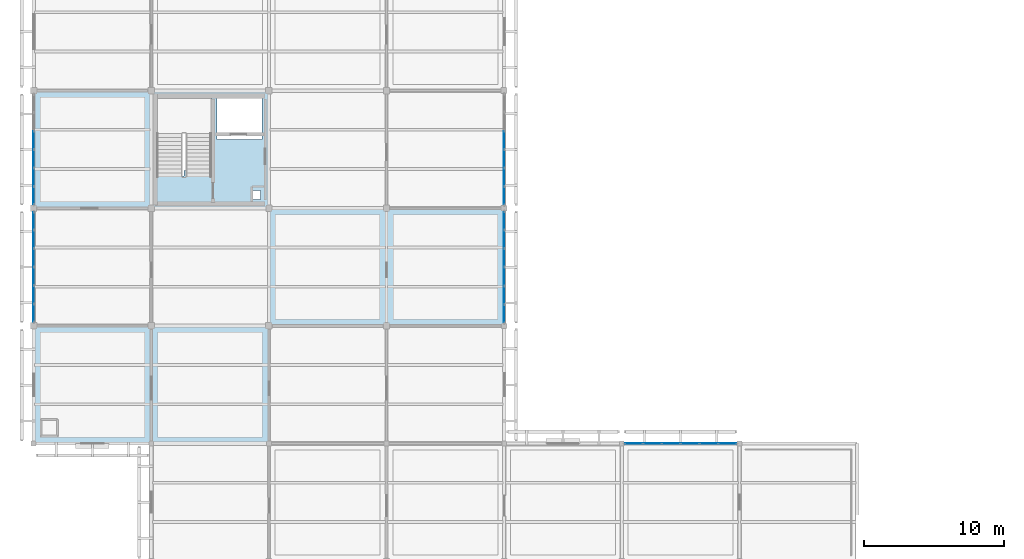
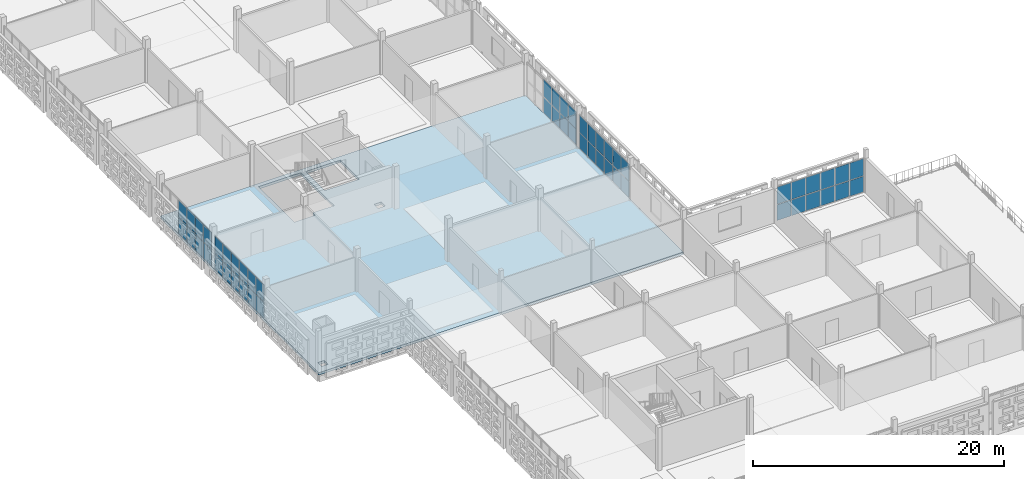
# One storey, part 71 of 140: 52 plates, 1 slab, 5 elements without a shape of their own.
"""IFC4 building model written with IfcOpenShell, lengths in metres."""

from ifc_helpers import new_model, si_unit, direction, frame, origin, origin_2d, place, context, subcontext, project, spatial, polyline, rectangle, outline, extrude, material, layer, layer_set, type_object, element, aggregate, save


model = new_model("IFC4")

# Units and contexts
model_context = context("Model", 3, precision=1e-05, world=origin(), true_north=direction((0.0, 1.0)))
body_context = subcontext(model_context, "Body", "Model", "MODEL_VIEW")
ifc_project = project(units=[si_unit("LENGTHUNIT", "METRE"), si_unit("AREAUNIT", "SQUARE_METRE"), si_unit("VOLUMEUNIT", "CUBIC_METRE"), si_unit("PLANEANGLEUNIT", "RADIAN"), si_unit("MASSUNIT", "GRAM", prefix="KILO")], contexts=[model_context])

# Site, building, storey
site_placement = place(None, origin())
site = spatial("IfcSite", under=ifc_project, at=site_placement, CompositionType="ELEMENT")
building_placement = place(site_placement, origin())
building = spatial("IfcBuilding", under=site, at=building_placement, Name="Varnapada Polytechnic", CompositionType="ELEMENT")
storey_placement = place(building_placement, frame((0.0, 0.0, 13.800048828125)))
storey = spatial("IfcBuildingStorey", under=building, at=storey_placement, Name="L03", CompositionType="ELEMENT", Elevation=13.800048828125)

# Curtain wall, plates
ifc_material_1 = material(Name="Double low-E laminated glass", Category="glass")
ifc_layer_1 = layer(ifc_material_1, 0.159912109375)
ifc_layer_set_1 = layer_set([ifc_layer_1], Name="Double low-E laminated glass")
curtain_wall_type_1 = type_object("IfcCurtainWallType", Name="Curtain Wall CW-01", PredefinedType="NOTDEFINED", material=ifc_layer_set_1)
curtain_wall_1_placement = place(storey_placement, origin())
curtain_wall_1 = element("IfcCurtainWall", 1, at=curtain_wall_1_placement, inside=storey, type_object=curtain_wall_type_1, Name="L03 unitised curtain wall CW-01 (224)", PredefinedType="NOTDEFINED")
ifc_layer_2 = layer(ifc_material_1, 0.028076171875)
ifc_layer_set_2 = layer_set([ifc_layer_2], Name="Double low-E laminated glass")
plate_type_1 = type_object("IfcPlateType", Name="Curtain Panel PNL-01", PredefinedType="CURTAIN_PANEL", material=ifc_layer_set_2)
plate_1_placement = place(storey_placement, frame((42.856689453125, 42.0, 0.06005859375), z_axis=(0.0, 0.0, 1.0), x_axis=(1.0, 0.0, 0.0)))
plate_1 = element("IfcPlate", 2, at=plate_1_placement, type_object=plate_type_1, Name="CW-01 panel 1.1", PredefinedType="CURTAIN_PANEL", context=body_context, shape_type="SweptSolid", body=[
    extrude(rectangle(XDim=1.25341796875, YDim=0.028076171875, at=origin_2d()), origin(), (0.0, 0.0, 1.0), 1.522705078125),
])
plate_2_placement = place(storey_placement, frame((42.856689453125, 42.0, 1.642822265625), z_axis=(0.0, 0.0, 1.0), x_axis=(1.0, 0.0, 0.0)))
plate_2 = element("IfcPlate", 3, at=plate_2_placement, type_object=plate_type_1, Name="CW-01 panel 1.2", PredefinedType="CURTAIN_PANEL", context=body_context, shape_type="SweptSolid", body=[
    extrude(rectangle(XDim=1.25341796875, YDim=0.028076171875, at=origin_2d()), origin(), (0.0, 0.0, 1.0), 1.6572265625),
])
plate_3_placement = place(storey_placement, frame((44.18505859375, 42.0, 0.06005859375), z_axis=(0.0, 0.0, 1.0), x_axis=(1.0, 0.0, 0.0)))
plate_3 = element("IfcPlate", 4, at=plate_3_placement, type_object=plate_type_1, Name="CW-01 panel 2.1", PredefinedType="CURTAIN_PANEL", context=body_context, shape_type="SweptSolid", body=[
    extrude(rectangle(XDim=1.283447265625, YDim=0.028076171875, at=origin_2d()), origin(), (0.0, 0.0, 1.0), 1.522705078125),
])
plate_4_placement = place(storey_placement, frame((44.18505859375, 42.0, 1.642822265625), z_axis=(0.0, 0.0, 1.0), x_axis=(1.0, 0.0, 0.0)))
plate_4 = element("IfcPlate", 5, at=plate_4_placement, type_object=plate_type_1, Name="CW-01 panel 2.2", PredefinedType="CURTAIN_PANEL", context=body_context, shape_type="SweptSolid", body=[
    extrude(rectangle(XDim=1.283447265625, YDim=0.028076171875, at=origin_2d()), origin(), (0.0, 0.0, 1.0), 1.6572265625),
])
plate_5_placement = place(storey_placement, frame((45.5283203125, 42.0, 0.06005859375), z_axis=(0.0, 0.0, 1.0), x_axis=(1.0, 0.0, 0.0)))
plate_5 = element("IfcPlate", 6, at=plate_5_placement, type_object=plate_type_1, Name="CW-01 panel 3.1", PredefinedType="CURTAIN_PANEL", context=body_context, shape_type="SweptSolid", body=[
    extrude(rectangle(XDim=1.283447265625, YDim=0.028076171875, at=origin_2d()), origin(), (0.0, 0.0, 1.0), 1.522705078125),
])
plate_6_placement = place(storey_placement, frame((45.5283203125, 42.0, 1.642822265625), z_axis=(0.0, 0.0, 1.0), x_axis=(1.0, 0.0, 0.0)))
plate_6 = element("IfcPlate", 7, at=plate_6_placement, type_object=plate_type_1, Name="CW-01 panel 3.2", PredefinedType="CURTAIN_PANEL", context=body_context, shape_type="SweptSolid", body=[
    extrude(rectangle(XDim=1.283447265625, YDim=0.028076171875, at=origin_2d()), origin(), (0.0, 0.0, 1.0), 1.6572265625),
])
plate_7_placement = place(storey_placement, frame((46.87158203125, 42.0, 0.06005859375), z_axis=(0.0, 0.0, 1.0), x_axis=(1.0, 0.0, 0.0)))
plate_7 = element("IfcPlate", 8, at=plate_7_placement, type_object=plate_type_1, Name="CW-01 panel 4.1", PredefinedType="CURTAIN_PANEL", context=body_context, shape_type="SweptSolid", body=[
    extrude(rectangle(XDim=1.283447265625, YDim=0.028076171875, at=origin_2d()), origin(), (0.0, 0.0, 1.0), 1.522705078125),
])
plate_8_placement = place(storey_placement, frame((46.87158203125, 42.0, 1.642822265625), z_axis=(0.0, 0.0, 1.0), x_axis=(1.0, 0.0, 0.0)))
plate_8 = element("IfcPlate", 9, at=plate_8_placement, type_object=plate_type_1, Name="CW-01 panel 4.2", PredefinedType="CURTAIN_PANEL", context=body_context, shape_type="SweptSolid", body=[
    extrude(rectangle(XDim=1.283447265625, YDim=0.028076171875, at=origin_2d()), origin(), (0.0, 0.0, 1.0), 1.6572265625),
])
plate_9_placement = place(storey_placement, frame((48.215087890625, 42.0, 0.06005859375), z_axis=(0.0, 0.0, 1.0), x_axis=(1.0, 0.0, 0.0)))
plate_9 = element("IfcPlate", 10, at=plate_9_placement, type_object=plate_type_1, Name="CW-01 panel 5.1", PredefinedType="CURTAIN_PANEL", context=body_context, shape_type="SweptSolid", body=[
    extrude(rectangle(XDim=1.283447265625, YDim=0.028076171875, at=origin_2d()), origin(), (0.0, 0.0, 1.0), 1.522705078125),
])
plate_10_placement = place(storey_placement, frame((48.215087890625, 42.0, 1.642822265625), z_axis=(0.0, 0.0, 1.0), x_axis=(1.0, 0.0, 0.0)))
plate_10 = element("IfcPlate", 11, at=plate_10_placement, type_object=plate_type_1, Name="CW-01 panel 5.2", PredefinedType="CURTAIN_PANEL", context=body_context, shape_type="SweptSolid", body=[
    extrude(rectangle(XDim=1.283447265625, YDim=0.028076171875, at=origin_2d()), origin(), (0.0, 0.0, 1.0), 1.6572265625),
])
plate_11_placement = place(storey_placement, frame((49.543212890625, 42.0, 0.06005859375), z_axis=(0.0, 0.0, 1.0), x_axis=(1.0, 0.0, 0.0)))
plate_11 = element("IfcPlate", 12, at=plate_11_placement, type_object=plate_type_1, Name="CW-01 panel 6.1", PredefinedType="CURTAIN_PANEL", context=body_context, shape_type="SweptSolid", body=[
    extrude(rectangle(XDim=1.25341796875, YDim=0.028076171875, at=origin_2d()), origin(), (0.0, 0.0, 1.0), 1.522705078125),
])
plate_12_placement = place(storey_placement, frame((49.543212890625, 42.0, 1.642822265625), z_axis=(0.0, 0.0, 1.0), x_axis=(1.0, 0.0, 0.0)))
plate_12 = element("IfcPlate", 13, at=plate_12_placement, type_object=plate_type_1, Name="CW-01 panel 6.2", PredefinedType="CURTAIN_PANEL", context=body_context, shape_type="SweptSolid", body=[
    extrude(rectangle(XDim=1.25341796875, YDim=0.028076171875, at=origin_2d()), origin(), (0.0, 0.0, 1.0), 1.6572265625),
])
aggregate(curtain_wall_1, [plate_1, plate_2, plate_3, plate_4, plate_5, plate_6, plate_7, plate_8, plate_9, plate_10, plate_11, plate_12])

ifc_layer_3 = layer(ifc_material_1, 0.179931640625)
ifc_layer_set_3 = layer_set([ifc_layer_3], Name="Double low-E laminated glass")
curtain_wall_type_2 = type_object("IfcCurtainWallType", Name="Curtain Wall CW-03", PredefinedType="NOTDEFINED", material=ifc_layer_set_3)
curtain_wall_2_placement = place(storey_placement, origin())
curtain_wall_2 = element("IfcCurtainWall", 14, at=curtain_wall_2_placement, inside=storey, type_object=curtain_wall_type_2, Name="L03 unitised curtain wall CW-03 (205)", PredefinedType="NOTDEFINED")
ifc_layer_4 = layer(ifc_material_1, 0.031982421875)
ifc_layer_set_4 = layer_set([ifc_layer_4], Name="Double low-E laminated glass")
plate_type_2 = type_object("IfcPlateType", Name="Curtain Panel PNL-02", PredefinedType="CURTAIN_PANEL", material=ifc_layer_set_4)
plate_13_placement = place(storey_placement, frame((0.0, 51.308837890625, 0.06494140625), z_axis=(0.0, 0.0, 1.0), x_axis=(0.0, 1.0, 0.0)))
plate_13 = element("IfcPlate", 15, at=plate_13_placement, type_object=plate_type_2, Name="CW-03 panel 1.1", PredefinedType="CURTAIN_PANEL", context=body_context, shape_type="SweptSolid", body=[
    extrude(rectangle(XDim=1.2275390625, YDim=0.031982421875, at=origin_2d()), origin(), (0.0, 0.0, 1.0), 1.515380859375),
])
plate_14_placement = place(storey_placement, frame((0.0, 51.308837890625, 1.6455078125), z_axis=(0.0, 0.0, 1.0), x_axis=(0.0, 1.0, 0.0)))
plate_14 = element("IfcPlate", 16, at=plate_14_placement, type_object=plate_type_2, Name="CW-03 panel 1.2", PredefinedType="CURTAIN_PANEL", context=body_context, shape_type="SweptSolid", body=[
    extrude(rectangle(XDim=1.2275390625, YDim=0.031982421875, at=origin_2d()), origin(), (0.0, 0.0, 1.0), 1.649658203125),
])
plate_15_placement = place(storey_placement, frame((0.0, 52.617431640625, 0.06494140625), z_axis=(0.0, 0.0, 1.0), x_axis=(0.0, 1.0, 0.0)))
plate_15 = element("IfcPlate", 17, at=plate_15_placement, type_object=plate_type_2, Name="CW-03 panel 2.1", PredefinedType="CURTAIN_PANEL", context=body_context, shape_type="SweptSolid", body=[
    extrude(rectangle(XDim=1.260009765625, YDim=0.031982421875, at=origin_2d()), origin(), (0.0, 0.0, 1.0), 1.515380859375),
])
plate_16_placement = place(storey_placement, frame((0.0, 52.617431640625, 1.6455078125), z_axis=(0.0, 0.0, 1.0), x_axis=(0.0, 1.0, 0.0)))
plate_16 = element("IfcPlate", 18, at=plate_16_placement, type_object=plate_type_2, Name="CW-03 panel 2.2", PredefinedType="CURTAIN_PANEL", context=body_context, shape_type="SweptSolid", body=[
    extrude(rectangle(XDim=1.260009765625, YDim=0.031982421875, at=origin_2d()), origin(), (0.0, 0.0, 1.0), 1.649658203125),
])
plate_17_placement = place(storey_placement, frame((0.0, 53.9423828125, 0.06494140625), z_axis=(0.0, 0.0, 1.0), x_axis=(0.0, 1.0, 0.0)))
plate_17 = element("IfcPlate", 19, at=plate_17_placement, type_object=plate_type_2, Name="CW-03 panel 3.1", PredefinedType="CURTAIN_PANEL", context=body_context, shape_type="SweptSolid", body=[
    extrude(rectangle(XDim=1.260009765625, YDim=0.031982421875, at=origin_2d()), origin(), (0.0, 0.0, 1.0), 1.515380859375),
])
plate_18_placement = place(storey_placement, frame((0.0, 53.9423828125, 1.6455078125), z_axis=(0.0, 0.0, 1.0), x_axis=(0.0, 1.0, 0.0)))
plate_18 = element("IfcPlate", 20, at=plate_18_placement, type_object=plate_type_2, Name="CW-03 panel 3.2", PredefinedType="CURTAIN_PANEL", context=body_context, shape_type="SweptSolid", body=[
    extrude(rectangle(XDim=1.260009765625, YDim=0.031982421875, at=origin_2d()), origin(), (0.0, 0.0, 1.0), 1.649658203125),
])
plate_19_placement = place(storey_placement, frame((0.0, 55.267578125, 0.06494140625), z_axis=(0.0, 0.0, 1.0), x_axis=(0.0, 1.0, 0.0)))
plate_19 = element("IfcPlate", 21, at=plate_19_placement, type_object=plate_type_2, Name="CW-03 panel 4.1", PredefinedType="CURTAIN_PANEL", context=body_context, shape_type="SweptSolid", body=[
    extrude(rectangle(XDim=1.260009765625, YDim=0.031982421875, at=origin_2d()), origin(), (0.0, 0.0, 1.0), 1.515380859375),
])
plate_20_placement = place(storey_placement, frame((0.0, 55.267578125, 1.6455078125), z_axis=(0.0, 0.0, 1.0), x_axis=(0.0, 1.0, 0.0)))
plate_20 = element("IfcPlate", 22, at=plate_20_placement, type_object=plate_type_2, Name="CW-03 panel 4.2", PredefinedType="CURTAIN_PANEL", context=body_context, shape_type="SweptSolid", body=[
    extrude(rectangle(XDim=1.260009765625, YDim=0.031982421875, at=origin_2d()), origin(), (0.0, 0.0, 1.0), 1.649658203125),
])
plate_21_placement = place(storey_placement, frame((0.0, 56.592529296875, 0.06494140625), z_axis=(0.0, 0.0, 1.0), x_axis=(0.0, 1.0, 0.0)))
plate_21 = element("IfcPlate", 23, at=plate_21_placement, type_object=plate_type_2, Name="CW-03 panel 5.1", PredefinedType="CURTAIN_PANEL", context=body_context, shape_type="SweptSolid", body=[
    extrude(rectangle(XDim=1.260009765625, YDim=0.031982421875, at=origin_2d()), origin(), (0.0, 0.0, 1.0), 1.515380859375),
])
plate_22_placement = place(storey_placement, frame((0.0, 56.592529296875, 1.6455078125), z_axis=(0.0, 0.0, 1.0), x_axis=(0.0, 1.0, 0.0)))
plate_22 = element("IfcPlate", 24, at=plate_22_placement, type_object=plate_type_2, Name="CW-03 panel 5.2", PredefinedType="CURTAIN_PANEL", context=body_context, shape_type="SweptSolid", body=[
    extrude(rectangle(XDim=1.260009765625, YDim=0.031982421875, at=origin_2d()), origin(), (0.0, 0.0, 1.0), 1.649658203125),
])
plate_23_placement = place(storey_placement, frame((0.0, 57.9013671875, 0.06494140625), z_axis=(0.0, 0.0, 1.0), x_axis=(0.0, 1.0, 0.0)))
plate_23 = element("IfcPlate", 25, at=plate_23_placement, type_object=plate_type_2, Name="CW-03 panel 6.1", PredefinedType="CURTAIN_PANEL", context=body_context, shape_type="SweptSolid", body=[
    extrude(rectangle(XDim=1.2275390625, YDim=0.031982421875, at=origin_2d()), origin(), (0.0, 0.0, 1.0), 1.515380859375),
])
plate_24_placement = place(storey_placement, frame((0.0, 57.9013671875, 1.6455078125), z_axis=(0.0, 0.0, 1.0), x_axis=(0.0, 1.0, 0.0)))
plate_24 = element("IfcPlate", 26, at=plate_24_placement, type_object=plate_type_2, Name="CW-03 panel 6.2", PredefinedType="CURTAIN_PANEL", context=body_context, shape_type="SweptSolid", body=[
    extrude(rectangle(XDim=1.2275390625, YDim=0.031982421875, at=origin_2d()), origin(), (0.0, 0.0, 1.0), 1.649658203125),
])
aggregate(curtain_wall_2, [plate_13, plate_14, plate_15, plate_16, plate_17, plate_18, plate_19, plate_20, plate_21, plate_22, plate_23, plate_24])

curtain_wall_3_placement = place(storey_placement, origin())
curtain_wall_3 = element("IfcCurtainWall", 27, at=curtain_wall_3_placement, inside=storey, type_object=curtain_wall_type_2, Name="L03 unitised curtain wall CW-03 (206)", PredefinedType="NOTDEFINED")
plate_25_placement = place(storey_placement, frame((0.0, 59.69873046875, 0.06494140625), z_axis=(0.0, 0.0, 1.0), x_axis=(0.0, 1.0, 0.0)))
plate_25 = element("IfcPlate", 28, at=plate_25_placement, type_object=plate_type_2, Name="CW-03 panel 1.1", PredefinedType="CURTAIN_PANEL", context=body_context, shape_type="SweptSolid", body=[
    extrude(rectangle(XDim=1.2275390625, YDim=0.031982421875, at=origin_2d()), origin(), (0.0, 0.0, 1.0), 1.515380859375),
])
plate_26_placement = place(storey_placement, frame((0.0, 59.69873046875, 1.6455078125), z_axis=(0.0, 0.0, 1.0), x_axis=(0.0, 1.0, 0.0)))
plate_26 = element("IfcPlate", 29, at=plate_26_placement, type_object=plate_type_2, Name="CW-03 panel 1.2", PredefinedType="CURTAIN_PANEL", context=body_context, shape_type="SweptSolid", body=[
    extrude(rectangle(XDim=1.2275390625, YDim=0.031982421875, at=origin_2d()), origin(), (0.0, 0.0, 1.0), 1.649658203125),
])
plate_27_placement = place(storey_placement, frame((0.0, 61.007568359375, 0.06494140625), z_axis=(0.0, 0.0, 1.0), x_axis=(0.0, 1.0, 0.0)))
plate_27 = element("IfcPlate", 30, at=plate_27_placement, type_object=plate_type_2, Name="CW-03 panel 2.1", PredefinedType="CURTAIN_PANEL", context=body_context, shape_type="SweptSolid", body=[
    extrude(rectangle(XDim=1.260009765625, YDim=0.031982421875, at=origin_2d()), origin(), (0.0, 0.0, 1.0), 1.515380859375),
])
plate_28_placement = place(storey_placement, frame((0.0, 61.007568359375, 1.6455078125), z_axis=(0.0, 0.0, 1.0), x_axis=(0.0, 1.0, 0.0)))
plate_28 = element("IfcPlate", 31, at=plate_28_placement, type_object=plate_type_2, Name="CW-03 panel 2.2", PredefinedType="CURTAIN_PANEL", context=body_context, shape_type="SweptSolid", body=[
    extrude(rectangle(XDim=1.260009765625, YDim=0.031982421875, at=origin_2d()), origin(), (0.0, 0.0, 1.0), 1.649658203125),
])
plate_29_placement = place(storey_placement, frame((0.0, 62.33251953125, 0.06494140625), z_axis=(0.0, 0.0, 1.0), x_axis=(0.0, 1.0, 0.0)))
plate_29 = element("IfcPlate", 32, at=plate_29_placement, type_object=plate_type_2, Name="CW-03 panel 3.1", PredefinedType="CURTAIN_PANEL", context=body_context, shape_type="SweptSolid", body=[
    extrude(rectangle(XDim=1.260009765625, YDim=0.031982421875, at=origin_2d()), origin(), (0.0, 0.0, 1.0), 1.515380859375),
])
plate_30_placement = place(storey_placement, frame((0.0, 62.33251953125, 1.6455078125), z_axis=(0.0, 0.0, 1.0), x_axis=(0.0, 1.0, 0.0)))
plate_30 = element("IfcPlate", 33, at=plate_30_placement, type_object=plate_type_2, Name="CW-03 panel 3.2", PredefinedType="CURTAIN_PANEL", context=body_context, shape_type="SweptSolid", body=[
    extrude(rectangle(XDim=1.260009765625, YDim=0.031982421875, at=origin_2d()), origin(), (0.0, 0.0, 1.0), 1.649658203125),
])
plate_31_placement = place(storey_placement, frame((0.0, 63.657470703125, 0.06494140625), z_axis=(0.0, 0.0, 1.0), x_axis=(0.0, 1.0, 0.0)))
plate_31 = element("IfcPlate", 34, at=plate_31_placement, type_object=plate_type_2, Name="CW-03 panel 4.1", PredefinedType="CURTAIN_PANEL", context=body_context, shape_type="SweptSolid", body=[
    extrude(rectangle(XDim=1.260009765625, YDim=0.031982421875, at=origin_2d()), origin(), (0.0, 0.0, 1.0), 1.515380859375),
])
plate_32_placement = place(storey_placement, frame((0.0, 63.657470703125, 1.6455078125), z_axis=(0.0, 0.0, 1.0), x_axis=(0.0, 1.0, 0.0)))
plate_32 = element("IfcPlate", 35, at=plate_32_placement, type_object=plate_type_2, Name="CW-03 panel 4.2", PredefinedType="CURTAIN_PANEL", context=body_context, shape_type="SweptSolid", body=[
    extrude(rectangle(XDim=1.260009765625, YDim=0.031982421875, at=origin_2d()), origin(), (0.0, 0.0, 1.0), 1.649658203125),
])
aggregate(curtain_wall_3, [plate_25, plate_26, plate_27, plate_28, plate_29, plate_30, plate_31, plate_32])

curtain_wall_4_placement = place(storey_placement, origin())
curtain_wall_4 = element("IfcCurtainWall", 36, at=curtain_wall_4_placement, inside=storey, type_object=curtain_wall_type_2, Name="L03 unitised curtain wall CW-03 (217)", PredefinedType="NOTDEFINED")
plate_33_placement = place(storey_placement, frame((33.60009765625, 57.906982421875, 0.06494140625), z_axis=(0.0, 0.0, 1.0), x_axis=(0.0, -1.0, 0.0)))
plate_33 = element("IfcPlate", 37, at=plate_33_placement, type_object=plate_type_2, Name="CW-03 panel 1.1", PredefinedType="CURTAIN_PANEL", context=body_context, shape_type="SweptSolid", body=[
    extrude(rectangle(XDim=1.23583984375, YDim=0.031982421875, at=origin_2d()), origin(), (0.0, 0.0, 1.0), 1.515380859375),
])
plate_34_placement = place(storey_placement, frame((33.60009765625, 57.906982421875, 1.6455078125), z_axis=(0.0, 0.0, 1.0), x_axis=(0.0, -1.0, 0.0)))
plate_34 = element("IfcPlate", 38, at=plate_34_placement, type_object=plate_type_2, Name="CW-03 panel 1.2", PredefinedType="CURTAIN_PANEL", context=body_context, shape_type="SweptSolid", body=[
    extrude(rectangle(XDim=1.23583984375, YDim=0.031982421875, at=origin_2d()), origin(), (0.0, 0.0, 1.0), 1.649658203125),
])
plate_35_placement = place(storey_placement, frame((33.60009765625, 56.590087890625, 0.06494140625), z_axis=(0.0, 0.0, 1.0), x_axis=(0.0, -1.0, 0.0)))
plate_35 = element("IfcPlate", 39, at=plate_35_placement, type_object=plate_type_2, Name="CW-03 panel 2.1", PredefinedType="CURTAIN_PANEL", context=body_context, shape_type="SweptSolid", body=[
    extrude(rectangle(XDim=1.268310546875, YDim=0.031982421875, at=origin_2d()), origin(), (0.0, 0.0, 1.0), 1.515380859375),
])
plate_36_placement = place(storey_placement, frame((33.60009765625, 56.590087890625, 1.6455078125), z_axis=(0.0, 0.0, 1.0), x_axis=(0.0, -1.0, 0.0)))
plate_36 = element("IfcPlate", 40, at=plate_36_placement, type_object=plate_type_2, Name="CW-03 panel 2.2", PredefinedType="CURTAIN_PANEL", context=body_context, shape_type="SweptSolid", body=[
    extrude(rectangle(XDim=1.268310546875, YDim=0.031982421875, at=origin_2d()), origin(), (0.0, 0.0, 1.0), 1.649658203125),
])
plate_37_placement = place(storey_placement, frame((33.60009765625, 55.256591796875, 0.06494140625), z_axis=(0.0, 0.0, 1.0), x_axis=(0.0, -1.0, 0.0)))
plate_37 = element("IfcPlate", 41, at=plate_37_placement, type_object=plate_type_2, Name="CW-03 panel 3.1", PredefinedType="CURTAIN_PANEL", context=body_context, shape_type="SweptSolid", body=[
    extrude(rectangle(XDim=1.268310546875, YDim=0.031982421875, at=origin_2d()), origin(), (0.0, 0.0, 1.0), 1.515380859375),
])
plate_38_placement = place(storey_placement, frame((33.60009765625, 55.256591796875, 1.6455078125), z_axis=(0.0, 0.0, 1.0), x_axis=(0.0, -1.0, 0.0)))
plate_38 = element("IfcPlate", 42, at=plate_38_placement, type_object=plate_type_2, Name="CW-03 panel 3.2", PredefinedType="CURTAIN_PANEL", context=body_context, shape_type="SweptSolid", body=[
    extrude(rectangle(XDim=1.268310546875, YDim=0.031982421875, at=origin_2d()), origin(), (0.0, 0.0, 1.0), 1.649658203125),
])
plate_39_placement = place(storey_placement, frame((33.60009765625, 53.92333984375, 0.06494140625), z_axis=(0.0, 0.0, 1.0), x_axis=(0.0, -1.0, 0.0)))
plate_39 = element("IfcPlate", 43, at=plate_39_placement, type_object=plate_type_2, Name="CW-03 panel 4.1", PredefinedType="CURTAIN_PANEL", context=body_context, shape_type="SweptSolid", body=[
    extrude(rectangle(XDim=1.268310546875, YDim=0.031982421875, at=origin_2d()), origin(), (0.0, 0.0, 1.0), 1.515380859375),
])
plate_40_placement = place(storey_placement, frame((33.60009765625, 53.92333984375, 1.6455078125), z_axis=(0.0, 0.0, 1.0), x_axis=(0.0, -1.0, 0.0)))
plate_40 = element("IfcPlate", 44, at=plate_40_placement, type_object=plate_type_2, Name="CW-03 panel 4.2", PredefinedType="CURTAIN_PANEL", context=body_context, shape_type="SweptSolid", body=[
    extrude(rectangle(XDim=1.268310546875, YDim=0.031982421875, at=origin_2d()), origin(), (0.0, 0.0, 1.0), 1.649658203125),
])
plate_41_placement = place(storey_placement, frame((33.60009765625, 52.590087890625, 0.06494140625), z_axis=(0.0, 0.0, 1.0), x_axis=(0.0, -1.0, 0.0)))
plate_41 = element("IfcPlate", 45, at=plate_41_placement, type_object=plate_type_2, Name="CW-03 panel 5.1", PredefinedType="CURTAIN_PANEL", context=body_context, shape_type="SweptSolid", body=[
    extrude(rectangle(XDim=1.268310546875, YDim=0.031982421875, at=origin_2d()), origin(), (0.0, 0.0, 1.0), 1.515380859375),
])
plate_42_placement = place(storey_placement, frame((33.60009765625, 52.590087890625, 1.6455078125), z_axis=(0.0, 0.0, 1.0), x_axis=(0.0, -1.0, 0.0)))
plate_42 = element("IfcPlate", 46, at=plate_42_placement, type_object=plate_type_2, Name="CW-03 panel 5.2", PredefinedType="CURTAIN_PANEL", context=body_context, shape_type="SweptSolid", body=[
    extrude(rectangle(XDim=1.268310546875, YDim=0.031982421875, at=origin_2d()), origin(), (0.0, 0.0, 1.0), 1.649658203125),
])
plate_43_placement = place(storey_placement, frame((33.60009765625, 51.27294921875, 0.06494140625), z_axis=(0.0, 0.0, 1.0), x_axis=(0.0, -1.0, 0.0)))
plate_43 = element("IfcPlate", 47, at=plate_43_placement, type_object=plate_type_2, Name="CW-03 panel 6.1", PredefinedType="CURTAIN_PANEL", context=body_context, shape_type="SweptSolid", body=[
    extrude(rectangle(XDim=1.23583984375, YDim=0.031982421875, at=origin_2d()), origin(), (0.0, 0.0, 1.0), 1.515380859375),
])
plate_44_placement = place(storey_placement, frame((33.60009765625, 51.27294921875, 1.6455078125), z_axis=(0.0, 0.0, 1.0), x_axis=(0.0, -1.0, 0.0)))
plate_44 = element("IfcPlate", 48, at=plate_44_placement, type_object=plate_type_2, Name="CW-03 panel 6.2", PredefinedType="CURTAIN_PANEL", context=body_context, shape_type="SweptSolid", body=[
    extrude(rectangle(XDim=1.23583984375, YDim=0.031982421875, at=origin_2d()), origin(), (0.0, 0.0, 1.0), 1.649658203125),
])
aggregate(curtain_wall_4, [plate_33, plate_34, plate_35, plate_36, plate_37, plate_38, plate_39, plate_40, plate_41, plate_42, plate_43, plate_44])

curtain_wall_5_placement = place(storey_placement, origin())
curtain_wall_5 = element("IfcCurtainWall", 49, at=curtain_wall_5_placement, inside=storey, type_object=curtain_wall_type_2, Name="L03 unitised curtain wall CW-03 (218)", PredefinedType="NOTDEFINED")
plate_45_placement = place(storey_placement, frame((33.60009765625, 63.6650390625, 0.06494140625), z_axis=(0.0, 0.0, 1.0), x_axis=(0.0, -1.0, 0.0)))
plate_45 = element("IfcPlate", 50, at=plate_45_placement, type_object=plate_type_2, Name="CW-03 panel 3.1", PredefinedType="CURTAIN_PANEL", context=body_context, shape_type="SweptSolid", body=[
    extrude(rectangle(XDim=1.264892578125, YDim=0.031982421875, at=origin_2d()), origin(), (0.0, 0.0, 1.0), 1.515380859375),
])
plate_46_placement = place(storey_placement, frame((33.60009765625, 63.6650390625, 1.6455078125), z_axis=(0.0, 0.0, 1.0), x_axis=(0.0, -1.0, 0.0)))
plate_46 = element("IfcPlate", 51, at=plate_46_placement, type_object=plate_type_2, Name="CW-03 panel 3.2", PredefinedType="CURTAIN_PANEL", context=body_context, shape_type="SweptSolid", body=[
    extrude(rectangle(XDim=1.264892578125, YDim=0.031982421875, at=origin_2d()), origin(), (0.0, 0.0, 1.0), 1.649658203125),
])
plate_47_placement = place(storey_placement, frame((33.60009765625, 62.3349609375, 0.06494140625), z_axis=(0.0, 0.0, 1.0), x_axis=(0.0, -1.0, 0.0)))
plate_47 = element("IfcPlate", 52, at=plate_47_placement, type_object=plate_type_2, Name="CW-03 panel 4.1", PredefinedType="CURTAIN_PANEL", context=body_context, shape_type="SweptSolid", body=[
    extrude(rectangle(XDim=1.264892578125, YDim=0.031982421875, at=origin_2d()), origin(), (0.0, 0.0, 1.0), 1.515380859375),
])
plate_48_placement = place(storey_placement, frame((33.60009765625, 62.3349609375, 1.6455078125), z_axis=(0.0, 0.0, 1.0), x_axis=(0.0, -1.0, 0.0)))
plate_48 = element("IfcPlate", 53, at=plate_48_placement, type_object=plate_type_2, Name="CW-03 panel 4.2", PredefinedType="CURTAIN_PANEL", context=body_context, shape_type="SweptSolid", body=[
    extrude(rectangle(XDim=1.264892578125, YDim=0.031982421875, at=origin_2d()), origin(), (0.0, 0.0, 1.0), 1.649658203125),
])
plate_49_placement = place(storey_placement, frame((33.60009765625, 61.0048828125, 0.06494140625), z_axis=(0.0, 0.0, 1.0), x_axis=(0.0, -1.0, 0.0)))
plate_49 = element("IfcPlate", 54, at=plate_49_placement, type_object=plate_type_2, Name="CW-03 panel 5.1", PredefinedType="CURTAIN_PANEL", context=body_context, shape_type="SweptSolid", body=[
    extrude(rectangle(XDim=1.264892578125, YDim=0.031982421875, at=origin_2d()), origin(), (0.0, 0.0, 1.0), 1.515380859375),
])
plate_50_placement = place(storey_placement, frame((33.60009765625, 61.0048828125, 1.6455078125), z_axis=(0.0, 0.0, 1.0), x_axis=(0.0, -1.0, 0.0)))
plate_50 = element("IfcPlate", 55, at=plate_50_placement, type_object=plate_type_2, Name="CW-03 panel 5.2", PredefinedType="CURTAIN_PANEL", context=body_context, shape_type="SweptSolid", body=[
    extrude(rectangle(XDim=1.264892578125, YDim=0.031982421875, at=origin_2d()), origin(), (0.0, 0.0, 1.0), 1.649658203125),
])
plate_51_placement = place(storey_placement, frame((33.60009765625, 59.691162109375, 0.06494140625), z_axis=(0.0, 0.0, 1.0), x_axis=(0.0, -1.0, 0.0)))
plate_51 = element("IfcPlate", 56, at=plate_51_placement, type_object=plate_type_2, Name="CW-03 panel 6.1", PredefinedType="CURTAIN_PANEL", context=body_context, shape_type="SweptSolid", body=[
    extrude(rectangle(XDim=1.232421875, YDim=0.031982421875, at=origin_2d()), origin(), (0.0, 0.0, 1.0), 1.515380859375),
])
plate_52_placement = place(storey_placement, frame((33.60009765625, 59.691162109375, 1.6455078125), z_axis=(0.0, 0.0, 1.0), x_axis=(0.0, -1.0, 0.0)))
plate_52 = element("IfcPlate", 57, at=plate_52_placement, type_object=plate_type_2, Name="CW-03 panel 6.2", PredefinedType="CURTAIN_PANEL", context=body_context, shape_type="SweptSolid", body=[
    extrude(rectangle(XDim=1.232421875, YDim=0.031982421875, at=origin_2d()), origin(), (0.0, 0.0, 1.0), 1.649658203125),
])
aggregate(curtain_wall_5, [plate_45, plate_46, plate_47, plate_48, plate_49, plate_50, plate_51, plate_52])

# Slab
ifc_material_2 = material(Name="Cross-laminated timber CLT C24", Category="wood")
ifc_layer_5 = layer(ifc_material_2, 0.239990234375)
ifc_layer_set_5 = layer_set([ifc_layer_5], Name="Cross-laminated timber CLT C24")
slab_type = type_object("IfcSlabType", Name="L02/L03 laboratory CLT composite slab SL-06", PredefinedType="FLOOR", material=ifc_layer_set_5)
slab_placement = place(storey_placement, frame((0.0, 0.0, -0.239990234375)))
element("IfcSlab", 58, at=slab_placement, inside=storey, type_object=slab_type, Name="L03 V4 slab 1.1", PredefinedType="FLOOR", context=body_context, shape_type="SweptSolid", body=[
    extrude(outline(polyline([(0.0, 58.800048828125), (0.0, 67.199951171875), (8.39990234375, 67.199951171875), (16.800048828125, 67.199951171875), (25.199951171875, 67.199951171875), (33.60009765625, 67.199951171875), (33.60009765625, 58.800048828125), (33.60009765625, 50.39990234375), (33.60009765625, 42.0), (25.199951171875, 42.0), (16.800048828125, 42.0), (8.39990234375, 42.0), (0.0, 42.0), (0.0, 50.39990234375), (0.0, 58.800048828125)]), holes=[polyline([(8.800048828125, 61.110107421875), (10.75, 61.110107421875), (10.75, 61.510009765625), (12.699951171875, 61.510009765625), (12.699951171875, 66.800048828125), (8.800048828125, 66.800048828125), (8.800048828125, 61.110107421875)]), polyline([(13.10009765625, 63.699951171875), (16.300048828125, 63.699951171875), (16.300048828125, 66.75), (13.10009765625, 66.75), (13.10009765625, 63.699951171875)]), polyline([(15.550048828125, 59.419921875), (16.199951171875, 59.419921875), (16.199951171875, 60.070068359375), (15.550048828125, 60.070068359375), (15.550048828125, 59.419921875)]), polyline([(0.64990234375, 42.64990234375), (1.25, 42.64990234375), (1.25, 43.25), (0.64990234375, 43.25), (0.64990234375, 42.64990234375)])]), origin(), (0.0, 0.0, 1.0), 0.239990234375),
])

save(model, "model.ifc")
